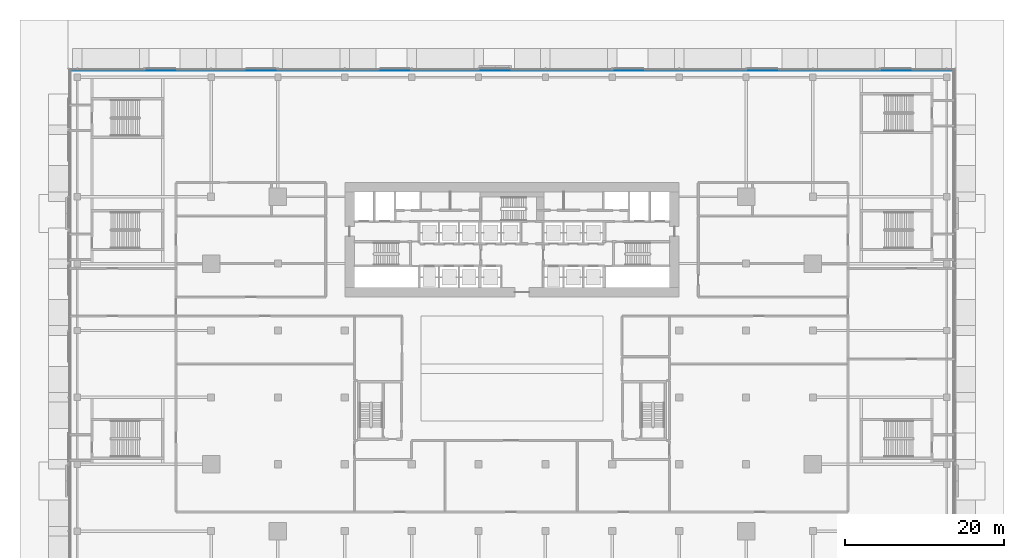
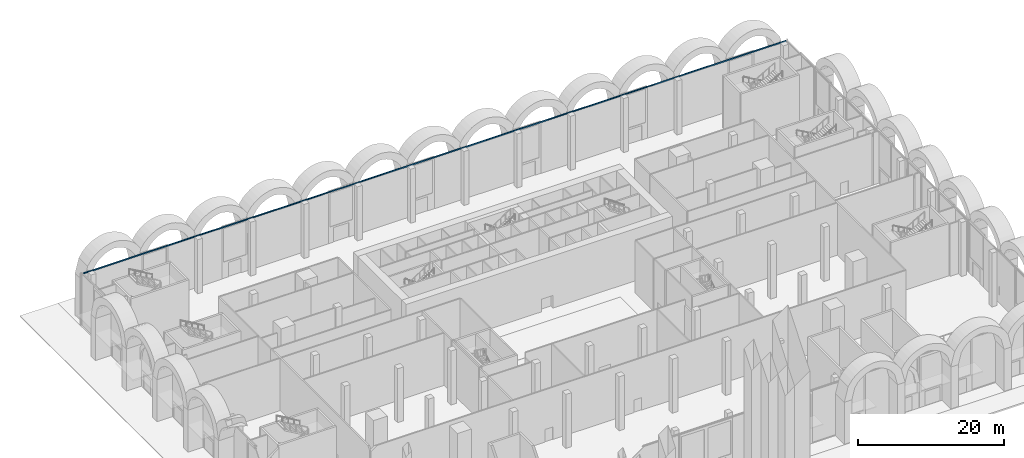
# One storey, part 14 of 43: 1 member, 1 element without a shape of its own.
"""IFC4 building model written with IfcOpenShell, lengths in metres."""

import ifcopenshell
import ifcopenshell.guid

model = None  # the IFC model being written
_history = None  # IfcOwnerHistory: only IFC2X3 demands one
_inside = {}  # id of a spatial element -> (the spatial element, [elements in it])
_under = {}  # id of a project, library or spatial element -> (it, [spatial elements below it])
_declared = {}  # id of a project -> (the project, [libraries it declares])
_typed = {}  # id of a type object -> (the type object, [elements of that type])
_made_of = {}  # id of a material, layer set ... -> (it, [elements and type objects made of it])


def new_model(schema):
    """Start an empty IFC model of exactly this schema.

    Asked for "IFC4X3", IfcOpenShell would pick the latest addendum, in which some entities
    have other attributes; the version numbers below select the first issue.
    IFC2X3 requires an IfcOwnerHistory on every rooted entity: one is made here for all.
    """
    global model, _history
    if schema == "IFC4X3":
        model = ifcopenshell.file(schema_version=(4, 3, 0, 0))
    else:
        model = ifcopenshell.file(schema=schema)
    _inside.clear()
    _under.clear()
    _declared.clear()
    _typed.clear()
    _made_of.clear()
    _history = None
    if model.schema == "IFC2X3":
        org = make("IfcOrganization", Name="unknown")
        user = make(
            "IfcPersonAndOrganization",
            ThePerson=make("IfcPerson", FamilyName="unknown"),
            TheOrganization=org,
        )
        app = make(
            "IfcApplication",
            ApplicationDeveloper=org,
            Version="unknown",
            ApplicationFullName="unknown",
            ApplicationIdentifier="unknown",
        )
        _history = make(
            "IfcOwnerHistory",
            OwningUser=user,
            OwningApplication=app,
            ChangeAction="ADDED",
            CreationDate=0,
        )
    return model


def make(cls, **values):
    """One entity of the class cls with the attributes given. An attribute that is None is left unset."""
    return model.create_entity(
        cls, **{name: value for name, value in values.items() if value is not None}
    )


def rooted(cls, **values):
    """An entity with a GlobalId (a new one), such as an element, a storey or a relation."""
    return make(cls, GlobalId=ifcopenshell.guid.new(), OwnerHistory=_history, **values)


def si_unit(unit_type, name, prefix=None):
    """IfcSIUnit, for example si_unit("LENGTHUNIT", "METRE", prefix="MILLI")."""
    return make("IfcSIUnit", UnitType=unit_type, Prefix=prefix, Name=name)


def assignment(units):
    """IfcUnitAssignment: the units of a project."""
    return None if units is None else make("IfcUnitAssignment", Units=units)


def point(xyz):
    """IfcCartesianPoint."""
    return None if xyz is None else make("IfcCartesianPoint", Coordinates=xyz)


def direction(xyz):
    """IfcDirection."""
    return None if xyz is None else make("IfcDirection", DirectionRatios=xyz)


def frame(location, z_axis=None, x_axis=None):
    """IfcAxis2Placement3D, a coordinate frame: its origin and axes. An axis left out is left unset."""
    return make(
        "IfcAxis2Placement3D",
        Location=point(location),
        Axis=direction(z_axis),
        RefDirection=direction(x_axis),
    )


def frame_2d(location, x_axis=None):
    """IfcAxis2Placement2D, a coordinate frame in the plane: its origin and x axis."""
    return make(
        "IfcAxis2Placement2D", Location=point(location), RefDirection=direction(x_axis)
    )


def origin():
    """The frame at (0, 0, 0) with its axes left unset."""
    return frame((0.0, 0.0, 0.0))


def origin_2d():
    """The frame at (0, 0) in the plane with its x axis left unset."""
    return frame_2d((0.0, 0.0))


def place(relative_to, where):
    """IfcLocalPlacement: puts the frame where relative to a parent placement (None: the world)."""
    return make(
        "IfcLocalPlacement", PlacementRelTo=relative_to, RelativePlacement=where
    )


def context(
    kind, dimensions, precision=None, world=None, true_north=None, identifier=None
):
    """IfcGeometricRepresentationContext, for example the 3D "Model" context."""
    return make(
        "IfcGeometricRepresentationContext",
        ContextIdentifier=identifier,
        ContextType=kind,
        CoordinateSpaceDimension=dimensions,
        Precision=precision,
        WorldCoordinateSystem=world,
        TrueNorth=true_north,
    )


def subcontext(parent, identifier, kind, view, scale=None):
    """IfcGeometricRepresentationSubContext, for example "Body" below "Model"."""
    return make(
        "IfcGeometricRepresentationSubContext",
        ContextIdentifier=identifier,
        ContextType=kind,
        ParentContext=parent,
        TargetScale=scale,
        TargetView=view,
    )


def project(units=None, contexts=None):
    """IfcProject with its units and contexts."""
    return rooted(
        "IfcProject",
        Name="project",
        RepresentationContexts=contexts,
        UnitsInContext=assignment(units),
    )


def spatial(cls, under=None, at=None, **own):
    """A site, building, storey or space (cls), placed at a placement, below another one or the project."""
    s = rooted(cls, ObjectPlacement=at, **own)
    if under is not None:
        _under.setdefault(under.id(), (under, []))[1].append(s)
    return s


def profile(cls, at=None, kind="AREA", **sizes):
    """A parametric profile (cls). Its sizes go by their IFC names, for example OverallWidth=200.0."""
    return make(cls, ProfileType=kind, Position=at, **sizes)


def rectangle(**sizes):
    """IfcRectangleProfileDef."""
    return profile("IfcRectangleProfileDef", **sizes)


def extrude(swept, where, along, depth):
    """IfcExtrudedAreaSolid: the profile swept, set in the frame where, extruded along a direction by depth."""
    return make(
        "IfcExtrudedAreaSolid",
        SweptArea=swept,
        Position=where,
        ExtrudedDirection=direction(along),
        Depth=depth,
    )


def shape(context_of_items, identifier, shape_type, items):
    """IfcShapeRepresentation: the items that make up one representation, for example the "Body"."""
    return make(
        "IfcShapeRepresentation",
        ContextOfItems=context_of_items,
        RepresentationIdentifier=identifier,
        RepresentationType=shape_type,
        Items=items,
    )


def material(Name=None, Category=None):
    """IfcMaterial."""
    return make("IfcMaterial", Name=Name, Category=Category)


def material_profile(
    of_material, cross_section, Name=None, Category=None, Priority=None
):
    """IfcMaterialProfile: a cross section and its material."""
    return make(
        "IfcMaterialProfile",
        Name=Name,
        Material=of_material,
        Profile=cross_section,
        Priority=Priority,
        Category=Category,
    )


def profile_set(profiles, Name=None, composite=None):
    """IfcMaterialProfileSet."""
    return make(
        "IfcMaterialProfileSet",
        Name=Name,
        MaterialProfiles=profiles,
        CompositeProfile=composite,
    )


def made_of(thing, what):
    """Note that an element or type object is made of a material, layer set ...; save() writes the relation."""
    if what is not None:
        _made_of.setdefault(what.id(), (what, []))[1].append(thing)
    return thing


def type_object(cls, material=None, **own):
    """A type object (cls), such as IfcWallType, which elements share."""
    return made_of(rooted(cls, **own), material)


def element(
    cls,
    number,
    at=None,
    inside=None,
    cuts=None,
    type_object=None,
    material=None,
    context=None,
    identifier="Body",
    shape_type=None,
    held_by="IfcProductDefinitionShape",
    body=None,
    shapes=None,
    **own,
):
    """One element of the class cls, such as IfcWall. Its Tag is "e" and its number.

    at: its placement. inside: the storey or other place that contains it. cuts: it is an
    opening in that element (IfcRelVoidsElement). A single representation is given by context,
    identifier, shape_type and body (its items); several are given by shapes. held_by: the class
    of the entity that holds the representations. save() writes the other relations.
    """
    e = rooted(cls, Tag="e%d" % number, ObjectPlacement=at, **own)
    if body is not None:
        shapes = [shape(context, identifier, shape_type, body)]
    if shapes is not None:
        e.Representation = make(held_by, Representations=shapes)
    if inside is not None:
        _inside.setdefault(inside.id(), (inside, []))[1].append(e)
    if cuts is not None:
        rooted(
            "IfcRelVoidsElement", RelatingBuildingElement=cuts, RelatedOpeningElement=e
        )
    if type_object is not None:
        _typed.setdefault(type_object.id(), (type_object, []))[1].append(e)
    return made_of(e, material)


def aggregate(whole, parts):
    """IfcRelAggregates: a whole, such as a stair, and the parts it consists of."""
    return rooted("IfcRelAggregates", RelatingObject=whole, RelatedObjects=parts)


def save(model, path):
    """Write the relations noted so far, then the file.

    IfcRelAggregates (storeys below a building ...), IfcRelContainedInSpatialStructure (elements
    in a storey), IfcRelDefinesByType, IfcRelAssociatesMaterial and IfcRelDeclares: one each for
    every whole, place, type object, material and project.
    """
    for whole, parts in _under.values():
        aggregate(whole, parts)
    for where, things in _inside.values():
        rooted(
            "IfcRelContainedInSpatialStructure",
            RelatedElements=things,
            RelatingStructure=where,
        )
    for kind, things in _typed.values():
        rooted("IfcRelDefinesByType", RelatedObjects=things, RelatingType=kind)
    for what, things in _made_of.values():
        rooted("IfcRelAssociatesMaterial", RelatedObjects=things, RelatingMaterial=what)
    for by, libraries in _declared.values():
        rooted("IfcRelDeclares", RelatingContext=by, RelatedDefinitions=libraries)
    model.write(path)


model = new_model("IFC4")

# Units and contexts
model_context = context("Model", 3, precision=1e-05, world=origin(), true_north=direction((0.0, 1.0)))
body_context = subcontext(model_context, "Body", "Model", "MODEL_VIEW")
ifc_project = project(units=[si_unit("LENGTHUNIT", "METRE"), si_unit("AREAUNIT", "SQUARE_METRE"), si_unit("VOLUMEUNIT", "CUBIC_METRE"), si_unit("PLANEANGLEUNIT", "RADIAN"), si_unit("MASSUNIT", "GRAM", prefix="KILO")], contexts=[model_context])

# Site, building, storey
site_placement = place(None, origin())
site = spatial("IfcSite", under=ifc_project, at=site_placement, CompositionType="ELEMENT")
building_placement = place(site_placement, origin())
building = spatial("IfcBuilding", under=site, at=building_placement, Name="Saffron Gate Tower", CompositionType="ELEMENT")
storey_placement = place(building_placement, origin())
storey = spatial("IfcBuildingStorey", under=building, at=storey_placement, Name="L00", CompositionType="ELEMENT", Elevation=0.0)

# Curtain wall, member
ifc_material = material(Name="Aluminium, bronze anodised", Category="aluminium")
curtain_wall_type = type_object("IfcCurtainWallType", Name="CWS5 curtain wall podium ring base", PredefinedType="NOTDEFINED", material=ifc_material)
curtain_wall_placement = place(storey_placement, origin())
curtain_wall = element("IfcCurtainWall", 1, at=curtain_wall_placement, inside=storey, type_object=curtain_wall_type, Name="CWS5 run 3", PredefinedType="NOTDEFINED")
ifc_material_profile = material_profile(ifc_material, rectangle(XDim=0.1201171875, YDim=0.1201171875, at=origin_2d()))
ifc_profile_set = profile_set([ifc_material_profile], Name="Aluminium, bronze anodised")
member_type = type_object("IfcMemberType", Name="CWS5 head transom", PredefinedType="USERDEFINED", material=ifc_profile_set)
member_placement = place(storey_placement, frame((142.991943359375, 89.7119140625, 8.639892578125), z_axis=(-1.0, 0.0, 0.0), x_axis=(0.0, -1.0, 0.0)))
member = element("IfcMember", 2, at=member_placement, type_object=member_type, Name="CWS5 head transom", ObjectType="TRANSOM", PredefinedType="USERDEFINED", context=body_context, shape_type="SweptSolid", body=[
    extrude(rectangle(XDim=0.1201171875, YDim=0.1201171875, at=origin_2d()), origin(), (0.0, 0.0, 1.0), 110.783935546875),
])
aggregate(curtain_wall, [member])

save(model, "model.ifc")
